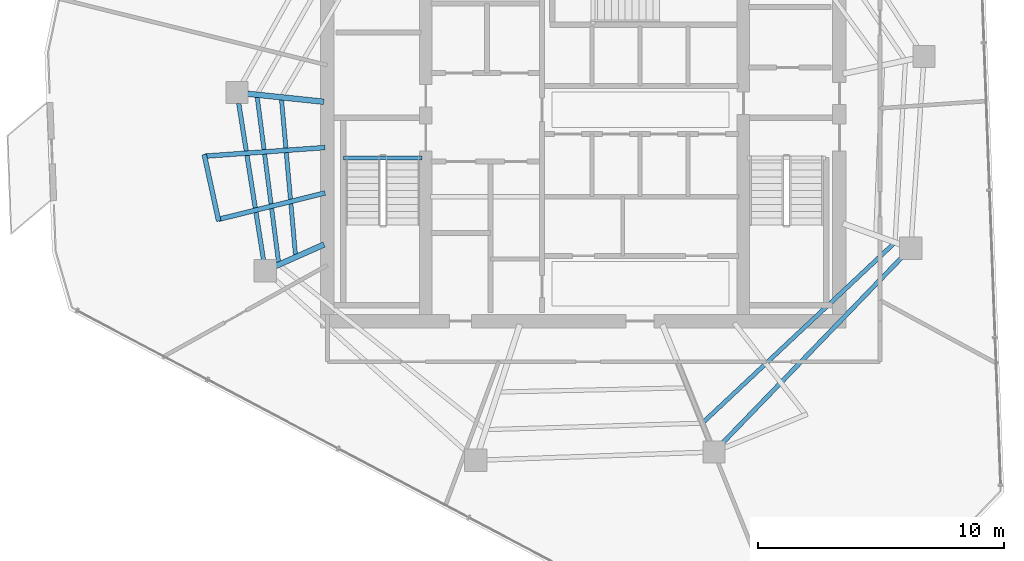
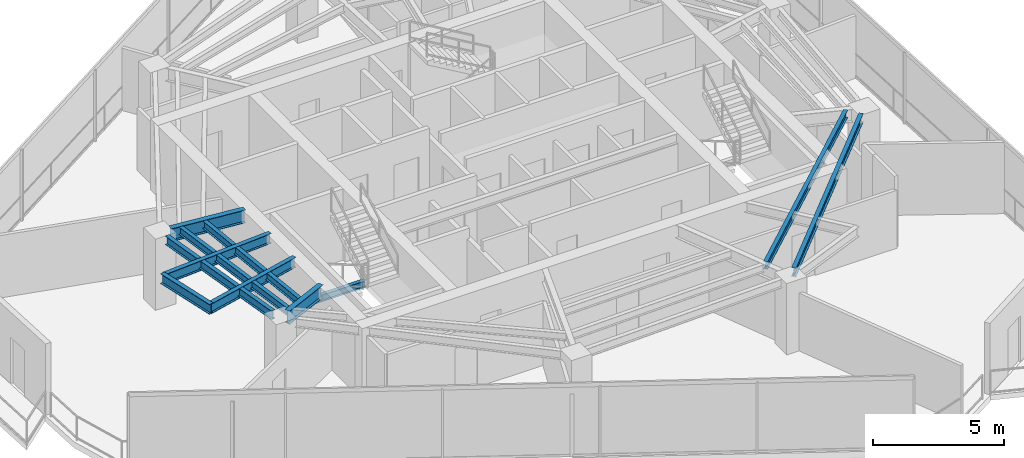
# One storey, part 4 of 19: 11 beams.
"""IFC4 building model written with IfcOpenShell, lengths in metres."""

from ifc_helpers import new_model, si_unit, direction, frame, origin, origin_2d, place, context, subcontext, project, spatial, i_section, extrude, material, material_profile, profile_set, type_object, element, save


model = new_model("IFC4")

# Units and contexts
model_context = context("Model", 3, precision=1e-05, world=origin(), true_north=direction((0.0, 1.0)))
body_context = subcontext(model_context, "Body", "Model", "MODEL_VIEW")
ifc_project = project(units=[si_unit("LENGTHUNIT", "METRE"), si_unit("AREAUNIT", "SQUARE_METRE"), si_unit("VOLUMEUNIT", "CUBIC_METRE"), si_unit("PLANEANGLEUNIT", "RADIAN"), si_unit("MASSUNIT", "GRAM", prefix="KILO")], contexts=[model_context])

# Site, building, storey
site_placement = place(None, origin())
site = spatial("IfcSite", under=ifc_project, at=site_placement, CompositionType="ELEMENT")
building_placement = place(site_placement, origin())
building = spatial("IfcBuilding", under=site, at=building_placement, Name="Qarnah Convention Tower", CompositionType="ELEMENT")
storey_placement = place(building_placement, frame((0.0, 0.0, 187.800048828125)))
storey = spatial("IfcBuildingStorey", under=building, at=storey_placement, Name="L50", CompositionType="ELEMENT", Elevation=187.800048828125)

# Beams
ifc_material = material(Name="Structural steel S355JR", Category="steel")
ifc_material_profile_1 = material_profile(ifc_material, i_section(OverallWidth=0.19189453125, OverallDepth=0.464111328125, WebThickness=0.010986328125, FlangeThickness=0.01806640625, at=origin_2d()), Name="W460X89")
ifc_profile_set_1 = profile_set([ifc_material_profile_1], Name="Structural steel S355JR")
beam_type_1 = type_object("IfcBeamType", Name="BM-CANT-W460A", PredefinedType="BEAM", material=ifc_profile_set_1)
beam_1_placement = place(storey_placement, frame((26.699951171875, 25.64794921875, 3.087890625), z_axis=(-0.997436151804, -0.071562022574, 0.0), x_axis=(0.071562022574, -0.997436151804, 0.0)))
element("IfcBeam", 1, at=beam_1_placement, inside=storey, type_object=beam_type_1, Name="L50 beam BM-L50-CNT-02-1", PredefinedType="BEAM", context=body_context, shape_type="SweptSolid", body=[
    extrude(i_section(OverallWidth=0.19189453125, OverallDepth=0.464111328125, WebThickness=0.010986328125, FlangeThickness=0.01806640625, at=origin_2d()), origin(), (0.0, 0.0, 1.0), 4.90234375),
])
beam_2_placement = place(storey_placement, frame((26.702880859375, 23.802001953125, 3.087890625), z_axis=(-0.970718465503, -0.240220025669, 0.0), x_axis=(0.240220025669, -0.970718465503, 0.0)))
element("IfcBeam", 2, at=beam_2_placement, inside=storey, type_object=beam_type_1, Name="L50 beam BM-L50-CNT-02-2", PredefinedType="BEAM", context=body_context, shape_type="SweptSolid", body=[
    extrude(i_section(OverallWidth=0.19189453125, OverallDepth=0.464111328125, WebThickness=0.010986328125, FlangeThickness=0.01806640625, at=origin_2d()), origin(), (0.0, 0.0, 1.0), 4.466796875),
])
beam_3_placement = place(storey_placement, frame((21.794921875, 25.364990234375, 3.087890625), z_axis=(0.212191546233, -0.977228094002, 0.0), x_axis=(0.977228094002, 0.212191546233, 0.0)))
element("IfcBeam", 3, at=beam_3_placement, inside=storey, type_object=beam_type_1, Name="L50 spandrel BM-L50-CTIE-02", PredefinedType="SPANDREL", context=body_context, shape_type="SweptSolid", body=[
    extrude(i_section(OverallWidth=0.19189453125, OverallDepth=0.464111328125, WebThickness=0.010986328125, FlangeThickness=0.01806640625, at=origin_2d()), origin(), (0.0, 0.0, 1.0), 2.76708984375),
])
ifc_material_profile_2 = material_profile(ifc_material, i_section(OverallWidth=0.166015625, OverallDepth=0.31201171875, WebThickness=0.007080078125, FlangeThickness=0.010986328125, at=origin_2d()), Name="W310X45")
ifc_profile_set_2 = profile_set([ifc_material_profile_2], Name="Structural steel S355JR")
beam_type_2 = type_object("IfcBeamType", Name="BM-JST-W310", PredefinedType="JOIST", material=ifc_profile_set_2)
beam_4_placement = place(storey_placement, frame((27.4599609375, 25.217041015625, -0.156005859375), z_axis=(1.0, 0.0, 0.0), x_axis=(0.0, 1.0, 0.0)))
element("IfcBeam", 4, at=beam_4_placement, inside=storey, type_object=beam_type_2, Name="L50 stair landing trimmer beam BM-L50-ST1-TRM", PredefinedType="BEAM", context=body_context, shape_type="SweptSolid", body=[
    extrude(i_section(OverallWidth=0.166015625, OverallDepth=0.31201171875, WebThickness=0.007080078125, FlangeThickness=0.010986328125, at=origin_2d()), origin(), (0.0, 0.0, 1.0), 3.179931640625),
])
ifc_material_profile_3 = material_profile(ifc_material, i_section(OverallWidth=0.172119140625, OverallDepth=0.35595703125, WebThickness=0.007080078125, FlangeThickness=0.011962890625, at=origin_2d()), Name="W360X51")
ifc_profile_set_3 = profile_set([ifc_material_profile_3], Name="Structural steel S355JR")
beam_type_3 = type_object("IfcBeamType", Name="BM-JST-W360", PredefinedType="JOIST", material=ifc_profile_set_3)
beam_5_placement = place(storey_placement, frame((23.947998046875, 27.705078125, 3.141845703125), z_axis=(0.128155286171, -0.991754113995, 0.0), x_axis=(0.991754113995, 0.128155286171, 0.0)))
element("IfcBeam", 5, at=beam_5_placement, inside=storey, type_object=beam_type_3, Name="L50 joist BM-L50-SJST-05", PredefinedType="JOIST", context=body_context, shape_type="SweptSolid", body=[
    extrude(i_section(OverallWidth=0.172119140625, OverallDepth=0.35595703125, WebThickness=0.007080078125, FlangeThickness=0.011962890625, at=origin_2d()), origin(), (0.0, 0.0, 1.0), 6.780029296875),
])
beam_6_placement = place(storey_placement, frame((42.093994140625, 14.511962890625, 3.141845703125), z_axis=(0.729569665488, 0.683906501796, 0.0), x_axis=(-0.683906501796, 0.729569665488, 0.0)))
element("IfcBeam", 6, at=beam_6_placement, inside=storey, type_object=beam_type_3, Name="L50 joist BM-L50-SJST-08", PredefinedType="JOIST", context=body_context, shape_type="SweptSolid", body=[
    extrude(i_section(OverallWidth=0.172119140625, OverallDepth=0.35595703125, WebThickness=0.007080078125, FlangeThickness=0.011962890625, at=origin_2d()), origin(), (0.0, 0.0, 1.0), 10.55419921875),
])
beam_7_placement = place(storey_placement, frame((24.93505859375, 27.60009765625, 3.141845703125), z_axis=(0.089573904604, -0.995980178324, 0.0), x_axis=(0.995980178324, 0.089573904604, 0.0)))
element("IfcBeam", 7, at=beam_7_placement, inside=storey, type_object=beam_type_3, Name="L50 joist BM-L50-IJST-05", PredefinedType="JOIST", context=body_context, shape_type="SweptSolid", body=[
    extrude(i_section(OverallWidth=0.172119140625, OverallDepth=0.35595703125, WebThickness=0.007080078125, FlangeThickness=0.011962890625, at=origin_2d()), origin(), (0.0, 0.0, 1.0), 6.339599609375),
])
ifc_material_profile_4 = material_profile(ifc_material, i_section(OverallWidth=0.22802734375, OverallDepth=0.60791015625, WebThickness=0.010986328125, FlangeThickness=0.01708984375, at=origin_2d()), Name="W610X113")
ifc_profile_set_4 = profile_set([ifc_material_profile_4], Name="Structural steel S355JR")
beam_type_4 = type_object("IfcBeamType", Name="BM-RAD-W610B", PredefinedType="BEAM", material=ifc_profile_set_4)
beam_8_placement = place(storey_placement, frame((26.65087890625, 27.509033203125, 3.015869140625), z_axis=(-0.99453335923, 0.104419334317, 0.0), x_axis=(-0.104419334317, -0.99453335923, 0.0)))
element("IfcBeam", 8, at=beam_8_placement, inside=storey, type_object=beam_type_4, Name="L50 beam BM-L50-RAD-05", PredefinedType="BEAM", context=body_context, shape_type="SweptSolid", body=[
    extrude(i_section(OverallWidth=0.22802734375, OverallDepth=0.60791015625, WebThickness=0.010986328125, FlangeThickness=0.01708984375, at=origin_2d()), origin(), (0.0, 0.0, 1.0), 3.112060546875),
])
beam_9_placement = place(storey_placement, frame((26.6630859375, 21.708984375, 3.015869140625), z_axis=(-0.913585734164, -0.406646168471, 0.0), x_axis=(0.406646168471, -0.913585734164, 0.0)))
element("IfcBeam", 9, at=beam_9_placement, inside=storey, type_object=beam_type_4, Name="L50 beam BM-L50-RAD-06", PredefinedType="BEAM", context=body_context, shape_type="SweptSolid", body=[
    extrude(i_section(OverallWidth=0.22802734375, OverallDepth=0.60791015625, WebThickness=0.010986328125, FlangeThickness=0.01708984375, at=origin_2d()), origin(), (0.0, 0.0, 1.0), 2.18603515625),
])
ifc_material_profile_5 = material_profile(ifc_material, i_section(OverallWidth=0.179931640625, OverallDepth=0.39990234375, WebThickness=0.009033203125, FlangeThickness=0.013916015625, at=origin_2d()), Name="IPE400")
ifc_profile_set_5 = profile_set([ifc_material_profile_5], Name="Structural steel S355JR")
beam_type_5 = type_object("IfcBeamType", Name="BM-SPN-IPE400", PredefinedType="SPANDREL", material=ifc_profile_set_5)
beam_10_placement = place(storey_placement, frame((23.197021484375, 27.444091796875, 3.119873046875), z_axis=(0.156301127146, -0.987709450017, 0.0), x_axis=(0.987709450017, 0.156301127146, 0.0)))
element("IfcBeam", 10, at=beam_10_placement, inside=storey, type_object=beam_type_5, Name="L50 spandrel BM-L50-SPN-05", PredefinedType="SPANDREL", context=body_context, shape_type="SweptSolid", body=[
    extrude(i_section(OverallWidth=0.179931640625, OverallDepth=0.39990234375, WebThickness=0.009033203125, FlangeThickness=0.013916015625, at=origin_2d()), origin(), (0.0, 0.0, 1.0), 6.443115234375),
])
beam_11_placement = place(storey_placement, frame((42.806884765625, 13.596923828125, 3.119873046875), z_axis=(0.694676898282, 0.719321907767, 0.0), x_axis=(-0.719321907767, 0.694676898282, 0.0)))
element("IfcBeam", 11, at=beam_11_placement, inside=storey, type_object=beam_type_5, Name="L50 spandrel BM-L50-SPN-08", PredefinedType="SPANDREL", context=body_context, shape_type="SweptSolid", body=[
    extrude(i_section(OverallWidth=0.179931640625, OverallDepth=0.39990234375, WebThickness=0.009033203125, FlangeThickness=0.013916015625, at=origin_2d()), origin(), (0.0, 0.0, 1.0), 10.62939453125),
])

save(model, "model.ifc")
